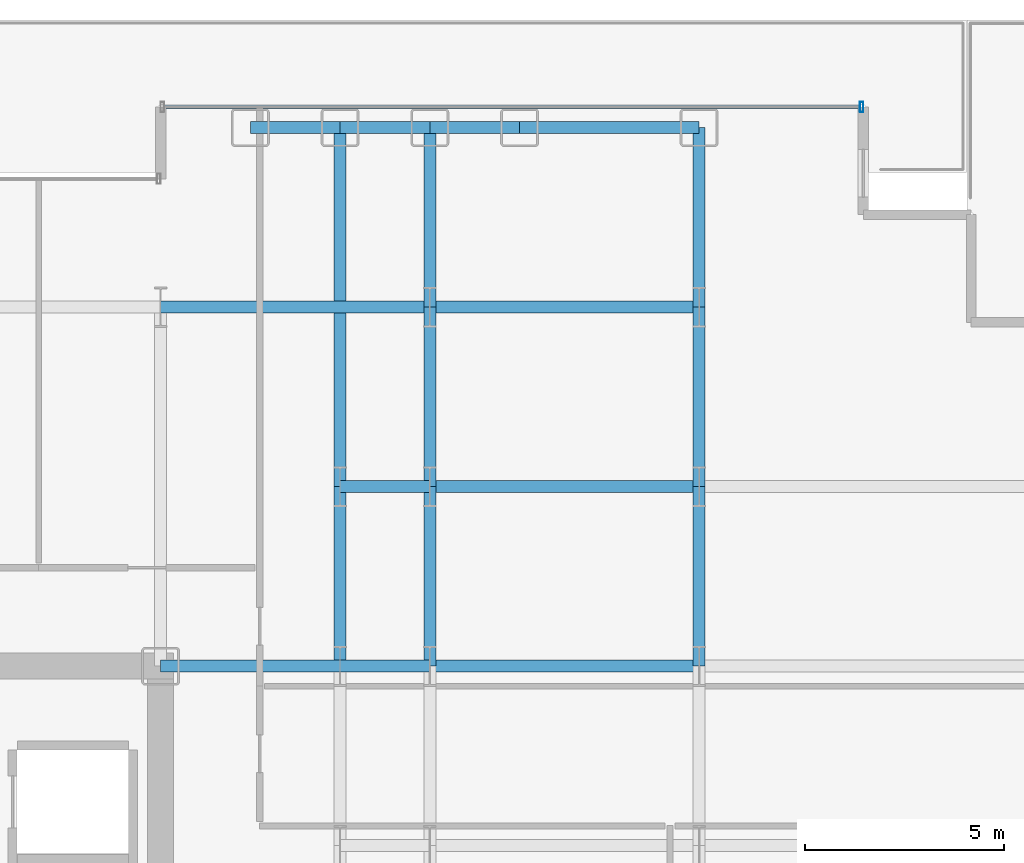
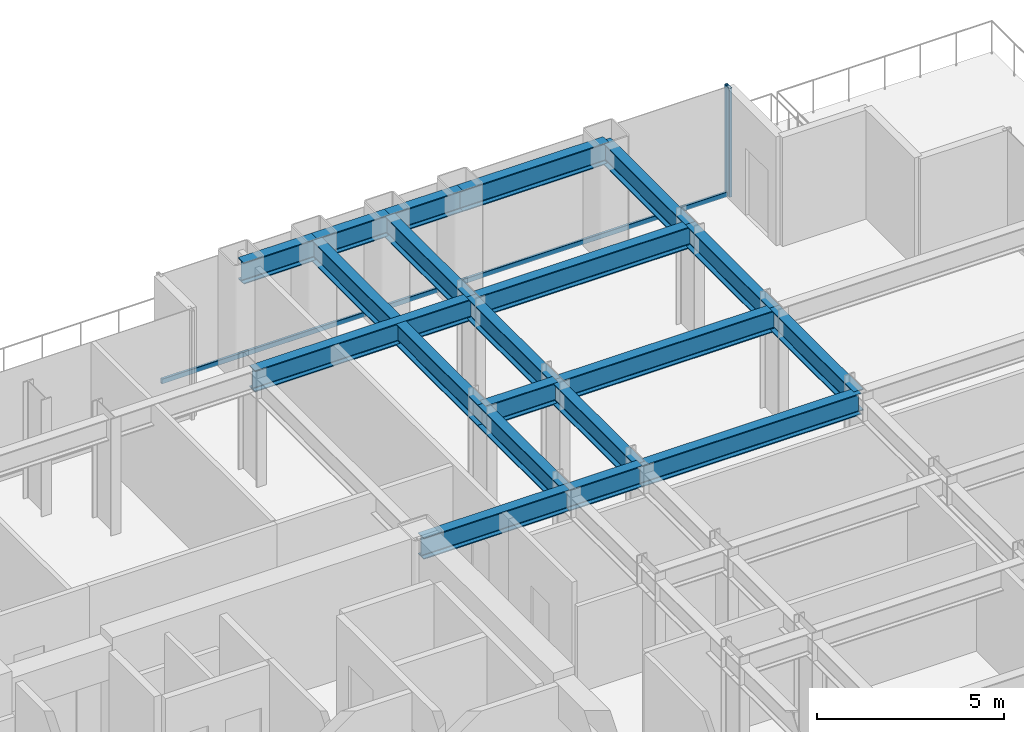
# One storey, part 15 of 30: 19 beams, 2 members, 1 element without a shape of its own.
"""IFC4 building model written with IfcOpenShell, lengths in metres."""

from ifc_helpers import new_model, si_unit, direction, frame, origin, origin_2d, place, context, subcontext, project, spatial, hollow_rectangle, i_section, extrude, source, transform, mapped, material, layer, layer_set, material_profile, profile_set, type_object, element, aggregate, save


model = new_model("IFC4")

# Units and contexts
model_context = context("Model", 3, precision=1e-05, world=origin(), true_north=direction((0.0, 1.0)))
body_context = subcontext(model_context, "Body", "Model", "MODEL_VIEW")
ifc_project = project(units=[si_unit("LENGTHUNIT", "METRE"), si_unit("AREAUNIT", "SQUARE_METRE"), si_unit("VOLUMEUNIT", "CUBIC_METRE"), si_unit("PLANEANGLEUNIT", "RADIAN"), si_unit("MASSUNIT", "GRAM", prefix="KILO")], contexts=[model_context])

# Site, building, storey
site_placement = place(None, origin())
site = spatial("IfcSite", under=ifc_project, at=site_placement, CompositionType="ELEMENT")
building_placement = place(site_placement, origin())
building = spatial("IfcBuilding", under=site, at=building_placement, Name="Nefas-Gora Pilgrimage Tower", CompositionType="ELEMENT")
storey_placement = place(building_placement, frame((0.0, 0.0, 33.0)))
storey = spatial("IfcBuildingStorey", under=building, at=storey_placement, Name="L06", CompositionType="ELEMENT", Elevation=33.0)

# Beams
ifc_material_1 = material(Name="Steel S355", Category="steel")
ifc_material_profile_1 = material_profile(ifc_material_1, i_section(OverallWidth=0.300048828125, OverallDepth=0.699951171875, WebThickness=0.01708984375, FlangeThickness=0.031982421875, FilletRadius=0.027099609375, at=origin_2d()), Name="HEB 700")
ifc_profile_set_1 = profile_set([ifc_material_profile_1], Name="Steel S355")
beam_type_1 = type_object("IfcBeamType", Name="BM-SPN-HEB600", PredefinedType="SPANDREL", material=ifc_profile_set_1)
shared_shape_1 = source(origin(), body_context, "Body", "SweptSolid", [
    extrude(i_section(OverallWidth=0.300048828125, OverallDepth=0.699951171875, WebThickness=0.01708984375, FlangeThickness=0.031982421875, FilletRadius=0.027099609375, at=origin_2d()), origin(), (0.0, 0.0, 1.0), 4.5),
])
beam_1_placement = place(storey_placement, frame((20.25, 22.5, 3.199951171875), z_axis=(1.0, 0.0, 0.0), x_axis=(0.0, 1.0, 0.0)))
element("IfcBeam", 1, at=beam_1_placement, inside=storey, type_object=beam_type_1, Name="L06 SP-01 beam", PredefinedType="SPANDREL", context=body_context, shape_type="MappedRepresentation", body=[
    mapped(shared_shape_1, transform((0.0, 0.0, 0.0), x_axis=(1.0, 0.0, 0.0), y_axis=(0.0, 1.0, 0.0), z_axis=(0.0, 0.0, 1.0), scale=1.0)),
])
ifc_material_profile_2 = material_profile(ifc_material_1, i_section(OverallWidth=0.300048828125, OverallDepth=0.699951171875, WebThickness=0.01708984375, FlangeThickness=0.031982421875, FilletRadius=0.027099609375, at=origin_2d()), Name="HEB 700")
ifc_profile_set_2 = profile_set([ifc_material_profile_2], Name="Steel S355")
beam_type_2 = type_object("IfcBeamType", Name="BM-GIR-HEB700", PredefinedType="BEAM", material=ifc_profile_set_2)
shared_shape_2 = source(origin(), body_context, "Body", "SweptSolid", [
    extrude(i_section(OverallWidth=0.300048828125, OverallDepth=0.699951171875, WebThickness=0.01708984375, FlangeThickness=0.031982421875, FilletRadius=0.027099609375, at=origin_2d()), origin(), (0.0, 0.0, 1.0), 9.0),
])
beam_2_placement = place(storey_placement, frame((15.75, 13.5, 3.199951171875), z_axis=(0.0, 1.0, 0.0), x_axis=(-1.0, 0.0, 0.0)))
element("IfcBeam", 2, at=beam_2_placement, inside=storey, type_object=beam_type_2, Name="L06 G-02 beam", PredefinedType="BEAM", context=body_context, shape_type="MappedRepresentation", body=[
    mapped(shared_shape_2, transform((0.0, 0.0, 0.0), x_axis=(1.0, 0.0, 0.0), y_axis=(0.0, 1.0, 0.0), z_axis=(0.0, 0.0, 1.0), scale=1.0)),
])
shared_shape_3 = source(origin(), body_context, "Body", "SweptSolid", [
    extrude(i_section(OverallWidth=0.300048828125, OverallDepth=0.699951171875, WebThickness=0.01708984375, FlangeThickness=0.031982421875, FilletRadius=0.027099609375, at=origin_2d()), origin(), (0.0, 0.0, 1.0), 4.5),
])
for number, where, z_axis, x_axis, name in (
    (3, (11.25, 9.0, 3.199951171875), (1.0, 0.0, 0.0), (0.0, 1.0, 0.0), "L06 G-02 beam"),
    (4, (15.75, 9.0, 3.199951171875), (0.0, 1.0, 0.0), (-1.0, 0.0, 0.0), "L06 G-02 beam"),
    (5, (18.0, 9.0, 3.199951171875), (0.0, 1.0, 0.0), (-1.0, 0.0, 0.0), "L06 G-02 beam"),
    (6, (18.0, 13.5, 3.199951171875), (0.0, 1.0, 0.0), (-1.0, 0.0, 0.0), "L06 G-02 beam"),
    (7, (18.0, 18.0, 3.199951171875), (0.0, 1.0, 0.0), (-1.0, 0.0, 0.0), "L06 G-02 beam"),
    (8, (24.75, 9.0, 3.199951171875), (0.0, 1.0, 0.0), (-1.0, 0.0, 0.0), "L06 G-02 beam"),
    (9, (24.75, 13.5, 3.199951171875), (0.0, 1.0, 0.0), (-1.0, 0.0, 0.0), "L06 G-02 beam"),
    (10, (24.75, 18.0, 3.199951171875), (0.0, 1.0, 0.0), (-1.0, 0.0, 0.0), "L06 G-02 beam"),
):
    element("IfcBeam", number, at=place(storey_placement, frame(where, z_axis=z_axis, x_axis=x_axis)), inside=storey, type_object=beam_type_2, Name=name, PredefinedType="BEAM", context=body_context, shape_type="MappedRepresentation", body=[
        mapped(shared_shape_3, transform((0.0, 0.0, 0.0), x_axis=(1.0, 0.0, 0.0), y_axis=(0.0, 1.0, 0.0), z_axis=(0.0, 0.0, 1.0), scale=1.0)),
    ])
shared_shape_4 = source(origin(), body_context, "Body", "SweptSolid", [
    extrude(i_section(OverallWidth=0.300048828125, OverallDepth=0.699951171875, WebThickness=0.01708984375, FlangeThickness=0.031982421875, FilletRadius=0.027099609375, at=origin_2d()), origin(), (0.0, 0.0, 1.0), 6.75),
])
for number, where, z_axis, x_axis, name in (
    (11, (11.25, 18.0, 3.199951171875), (1.0, 0.0, 0.0), (0.0, 1.0, 0.0), "L06 G-02 beam"),
    (12, (18.0, 9.0, 3.199951171875), (1.0, 0.0, 0.0), (0.0, 1.0, 0.0), "L06 G-02 beam"),
    (13, (18.0, 13.5, 3.199951171875), (1.0, 0.0, 0.0), (0.0, 1.0, 0.0), "L06 G-02 beam"),
    (14, (18.0, 18.0, 3.199951171875), (1.0, 0.0, 0.0), (0.0, 1.0, 0.0), "L06 G-02 beam"),
):
    element("IfcBeam", number, at=place(storey_placement, frame(where, z_axis=z_axis, x_axis=x_axis)), inside=storey, type_object=beam_type_2, Name=name, PredefinedType="BEAM", context=body_context, shape_type="MappedRepresentation", body=[
        mapped(shared_shape_4, transform((0.0, 0.0, 0.0), x_axis=(1.0, 0.0, 0.0), y_axis=(0.0, 1.0, 0.0), z_axis=(0.0, 0.0, 1.0), scale=1.0)),
    ])
shared_shape_5 = source(origin(), body_context, "Body", "SweptSolid", [
    extrude(i_section(OverallWidth=0.300048828125, OverallDepth=0.699951171875, WebThickness=0.01708984375, FlangeThickness=0.031982421875, FilletRadius=0.027099609375, at=origin_2d()), origin(), (0.0, 0.0, 1.0), 2.25),
])
for number, where, z_axis, x_axis, name in (
    (15, (13.5, 22.5, 3.199951171875), (1.0, 0.0, 0.0), (0.0, 1.0, 0.0), "L06 SP-01 beam"),
    (16, (15.75, 22.5, 3.199951171875), (1.0, 0.0, 0.0), (0.0, 1.0, 0.0), "L06 SP-01 beam"),
    (17, (18.0, 22.5, 3.199951171875), (1.0, 0.0, 0.0), (0.0, 1.0, 0.0), "L06 SP-01 beam"),
):
    element("IfcBeam", number, at=place(storey_placement, frame(where, z_axis=z_axis, x_axis=x_axis)), inside=storey, type_object=beam_type_1, Name=name, PredefinedType="SPANDREL", context=body_context, shape_type="MappedRepresentation", body=[
        mapped(shared_shape_5, transform((0.0, 0.0, 0.0), x_axis=(1.0, 0.0, 0.0), y_axis=(0.0, 1.0, 0.0), z_axis=(0.0, 0.0, 1.0), scale=1.0)),
    ])
shared_shape_6 = source(origin(), body_context, "Body", "SweptSolid", [
    extrude(i_section(OverallWidth=0.300048828125, OverallDepth=0.699951171875, WebThickness=0.01708984375, FlangeThickness=0.031982421875, FilletRadius=0.027099609375, at=origin_2d()), origin(), (0.0, 0.0, 1.0), 2.25),
])
for number, where, z_axis, x_axis, name in (
    (18, (15.75, 9.0, 3.199951171875), (1.0, 0.0, 0.0), (0.0, 1.0, 0.0), "L06 G-02 beam"),
    (19, (15.75, 13.5, 3.199951171875), (1.0, 0.0, 0.0), (0.0, 1.0, 0.0), "L06 G-02 beam"),
):
    element("IfcBeam", number, at=place(storey_placement, frame(where, z_axis=z_axis, x_axis=x_axis)), inside=storey, type_object=beam_type_2, Name=name, PredefinedType="BEAM", context=body_context, shape_type="MappedRepresentation", body=[
        mapped(shared_shape_6, transform((0.0, 0.0, 0.0), x_axis=(1.0, 0.0, 0.0), y_axis=(0.0, 1.0, 0.0), z_axis=(0.0, 0.0, 1.0), scale=1.0)),
    ])

# Curtain wall, members
ifc_material_2 = material(Name="Dark ceramic-fritted solar-control aluminium-glass curtain wall", Category="aluminium")
ifc_layer = layer(ifc_material_2, 0.219970703125)
ifc_layer_set = layer_set([ifc_layer], Name="Dark ceramic-fritted solar-control aluminium-glass curtain wall")
curtain_wall_type = type_object("IfcCurtainWallType", Name="CW-SYS-2", PredefinedType="NOTDEFINED", material=ifc_layer_set)
curtain_wall_placement = place(storey_placement, origin())
curtain_wall = element("IfcCurtainWall", 20, at=curtain_wall_placement, inside=storey, type_object=curtain_wall_type, Name="L06 Unitised Curtain Wall CW2", PredefinedType="NOTDEFINED")
ifc_material_3 = material(Name="Anodised architectural aluminium", Category="aluminium")
ifc_material_profile_3 = material_profile(ifc_material_3, hollow_rectangle(XDim=0.090087890625, YDim=0.260009765625, WallThickness=0.006103515625, InnerFilletRadius=0.006103515625, OuterFilletRadius=0.011962890625, at=origin_2d()), Name="ALU MULLION 90x260")
ifc_profile_set_3 = profile_set([ifc_material_profile_3], Name="Anodised architectural aluminium")
member_type_1 = type_object("IfcMemberType", Name="CWM-MUL-2", PredefinedType="MULLION", material=ifc_profile_set_3)
shared_shape_7 = source(origin(), body_context, "Body", "SweptSolid", [
    extrude(hollow_rectangle(XDim=0.090087890625, YDim=0.260009765625, WallThickness=0.006103515625, InnerFilletRadius=0.006103515625, OuterFilletRadius=0.011962890625, at=origin_2d()), origin(), (0.0, 0.0, 1.0), 3.550048828125),
])
member_1_placement = place(storey_placement, frame((28.824951171875, 23.02001953125, 0.0), z_axis=(0.0, 0.0, 1.0), x_axis=(-1.0, 0.0, 0.0)))
member_1 = element("IfcMember", 21, at=member_1_placement, type_object=member_type_1, Name="CW2 Mullion 1", PredefinedType="MULLION", context=body_context, shape_type="MappedRepresentation", body=[
    mapped(shared_shape_7, transform((0.0, 0.0, 0.0), x_axis=(1.0, 0.0, 0.0), y_axis=(0.0, 1.0, 0.0), z_axis=(0.0, 0.0, 1.0), scale=1.0)),
])
ifc_material_profile_4 = material_profile(ifc_material_3, hollow_rectangle(XDim=0.080078125, YDim=0.159912109375, WallThickness=0.00439453125, InnerFilletRadius=0.00439453125, OuterFilletRadius=0.009033203125, at=origin_2d()), Name="ALU TRANSOM 80x160")
ifc_profile_set_4 = profile_set([ifc_material_profile_4], Name="Anodised architectural aluminium")
member_type_2 = type_object("IfcMemberType", Name="CWM-TRN-2", PredefinedType="USERDEFINED", material=ifc_profile_set_4)
shared_shape_8 = source(origin(), body_context, "Body", "SweptSolid", [
    extrude(hollow_rectangle(XDim=0.080078125, YDim=0.159912109375, WallThickness=0.00439453125, InnerFilletRadius=0.00439453125, OuterFilletRadius=0.009033203125, at=origin_2d()), origin(), (0.0, 0.0, 1.0), 17.43994140625),
])
member_2_placement = place(storey_placement, frame((28.780029296875, 23.02001953125, 0.050048828125), z_axis=(-1.0, 0.0, 0.0), x_axis=(0.0, -1.0, 0.0)))
member_2 = element("IfcMember", 22, at=member_2_placement, type_object=member_type_2, Name="CW2 Spandrel Transom", ObjectType="TRANSOM", PredefinedType="USERDEFINED", context=body_context, shape_type="MappedRepresentation", body=[
    mapped(shared_shape_8, transform((0.0, 0.0, 0.0), x_axis=(1.0, 0.0, 0.0), y_axis=(0.0, 1.0, 0.0), z_axis=(0.0, 0.0, 1.0), scale=1.0)),
])
aggregate(curtain_wall, [member_1, member_2])

save(model, "model.ifc")
